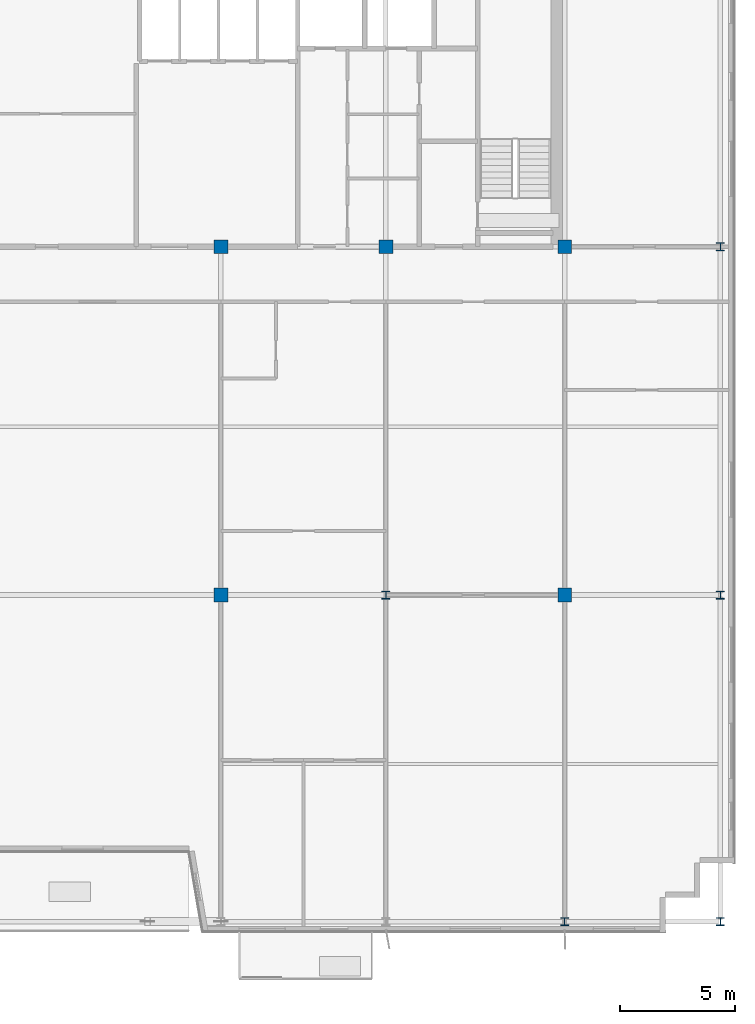
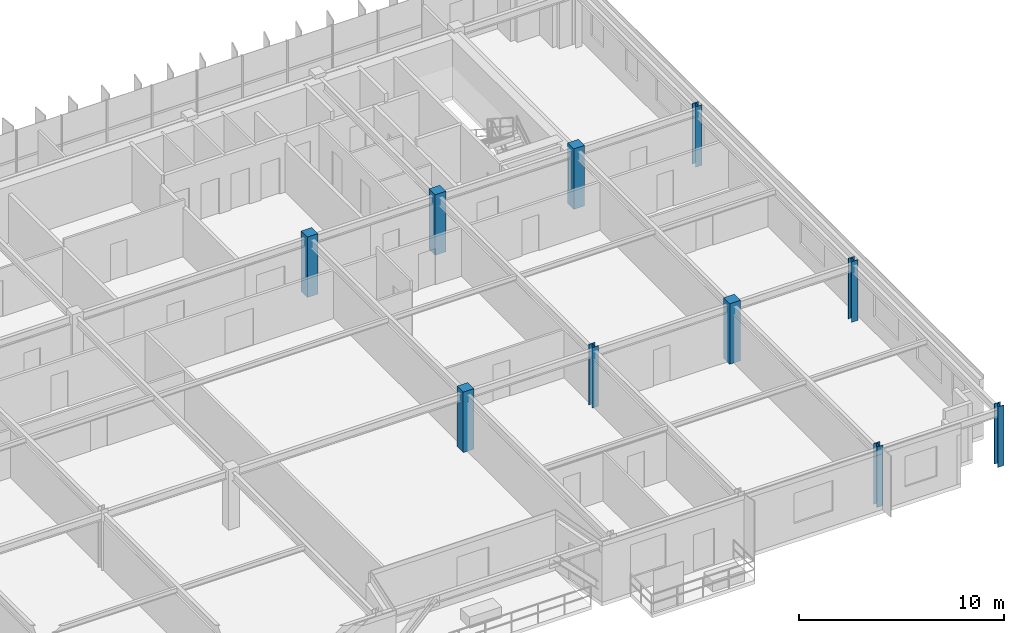
# One storey, part 2 of 22: 10 columns.
"""IFC4 building model written with IfcOpenShell, lengths in metres."""

from ifc_helpers import new_model, si_unit, direction, frame, origin, origin_2d, place, context, subcontext, project, spatial, rectangle, i_section, extrude, source, transform, mapped, material, material_profile, profile_set, type_object, element, save


model = new_model("IFC4")

# Units and contexts
model_context = context("Model", 3, precision=1e-05, world=origin(), true_north=direction((0.0, 1.0)))
body_context = subcontext(model_context, "Body", "Model", "MODEL_VIEW")
ifc_project = project(units=[si_unit("LENGTHUNIT", "METRE"), si_unit("AREAUNIT", "SQUARE_METRE"), si_unit("VOLUMEUNIT", "CUBIC_METRE"), si_unit("PLANEANGLEUNIT", "RADIAN"), si_unit("MASSUNIT", "GRAM", prefix="KILO")], contexts=[model_context])

# Site, building, storey
site_placement = place(None, origin())
site = spatial("IfcSite", under=ifc_project, at=site_placement, CompositionType="ELEMENT")
building_placement = place(site_placement, origin())
building = spatial("IfcBuilding", under=site, at=building_placement, Name="Trelvane Seafront Commons", CompositionType="ELEMENT")
storey_placement = place(building_placement, frame((0.0, 0.0, 288.300048828125)))
storey = spatial("IfcBuildingStorey", under=building, at=storey_placement, Name="L75", CompositionType="ELEMENT", Elevation=288.300048828125)

# Columns
ifc_material_1 = material(Name="Steel SM355 (S355)", Category="steel")
ifc_material_profile_1 = material_profile(ifc_material_1, i_section(OverallWidth=0.35009765625, OverallDepth=0.35009765625, WebThickness=0.01806640625, FlangeThickness=0.028076171875, at=origin_2d()), Name="HD-350x350x18x28")
ifc_profile_set_1 = profile_set([ifc_material_profile_1], Name="Steel SM355 (S355)")
column_type_1 = type_object("IfcColumnType", Name="STR-COL-HD350", PredefinedType="COLUMN", material=ifc_profile_set_1)
shared_shape_1 = source(origin(), body_context, "Body", "SweptSolid", [
    extrude(i_section(OverallWidth=0.35009765625, OverallDepth=0.35009765625, WebThickness=0.01806640625, FlangeThickness=0.028076171875, at=origin_2d()), origin(), (0.0, 0.0, 1.0), 3.599853515625),
])
for number, where, z_axis, x_axis, name in (
    (1, (51.0, 18.199951171875, 0.0), (0.0, 0.0, 1.0), (1.0, 0.0, 0.0), "L75 Column TC-M51.0"),
    (2, (58.800048828125, 3.949951171875, 0.0), (0.0, 0.0, 1.0), (1.0, 0.0, 0.0), "L75 Column TC-S58.8"),
    (3, (65.60009765625, 3.949951171875, 0.0), (0.0, 0.0, 1.0), (1.0, 0.0, 0.0), "L75 Column TC-S65.6"),
    (4, (65.60009765625, 18.199951171875, 0.0), (0.0, 0.0, 1.0), (1.0, 0.0, 0.0), "L75 Column TC-M65.6"),
    (5, (65.60009765625, 33.39990234375, 0.0), (0.0, 0.0, 1.0), (1.0, 0.0, 0.0), "L75 Column TC-CS65.6"),
):
    element("IfcColumn", number, at=place(storey_placement, frame(where, z_axis=z_axis, x_axis=x_axis)), inside=storey, type_object=column_type_1, Name=name, PredefinedType="COLUMN", context=body_context, shape_type="MappedRepresentation", body=[
        mapped(shared_shape_1, transform((0.0, 0.0, 0.0), x_axis=(1.0, 0.0, 0.0), y_axis=(0.0, 1.0, 0.0), z_axis=(0.0, 0.0, 1.0), scale=1.0)),
    ])
ifc_material_2 = material(Name="Concrete C50/60", Category="concrete")
ifc_material_profile_2 = material_profile(ifc_material_2, rectangle(XDim=0.60009765625, YDim=0.60009765625, at=origin_2d()), Name="RC-600x600")
ifc_profile_set_2 = profile_set([ifc_material_profile_2], Name="Concrete C50/60")
column_type_2 = type_object("IfcColumnType", Name="STR-COL-RC600", PredefinedType="COLUMN", material=ifc_profile_set_2)
shared_shape_2 = source(origin(), body_context, "Body", "SweptSolid", [
    extrude(rectangle(XDim=0.60009765625, YDim=0.60009765625, at=origin_2d()), origin(), (0.0, 0.0, 1.0), 3.599853515625),
])
for number, where, z_axis, x_axis, name in (
    (6, (43.800048828125, 18.199951171875, 0.0), (0.0, 0.0, 1.0), (1.0, 0.0, 0.0), "L75 Column TC-M43.8"),
    (7, (43.800048828125, 33.39990234375, 0.0), (0.0, 0.0, 1.0), (1.0, 0.0, 0.0), "L75 Column TC-CS43.8"),
    (8, (51.0, 33.39990234375, 0.0), (0.0, 0.0, 1.0), (1.0, 0.0, 0.0), "L75 Column TC-CS51.0"),
    (9, (58.800048828125, 18.199951171875, 0.0), (0.0, 0.0, 1.0), (1.0, 0.0, 0.0), "L75 Column TC-M58.8"),
    (10, (58.800048828125, 33.39990234375, 0.0), (0.0, 0.0, 1.0), (1.0, 0.0, 0.0), "L75 Column TC-CS58.8"),
):
    element("IfcColumn", number, at=place(storey_placement, frame(where, z_axis=z_axis, x_axis=x_axis)), inside=storey, type_object=column_type_2, Name=name, PredefinedType="COLUMN", context=body_context, shape_type="MappedRepresentation", body=[
        mapped(shared_shape_2, transform((0.0, 0.0, 0.0), x_axis=(1.0, 0.0, 0.0), y_axis=(0.0, 1.0, 0.0), z_axis=(0.0, 0.0, 1.0), scale=1.0)),
    ])

save(model, "model.ifc")
